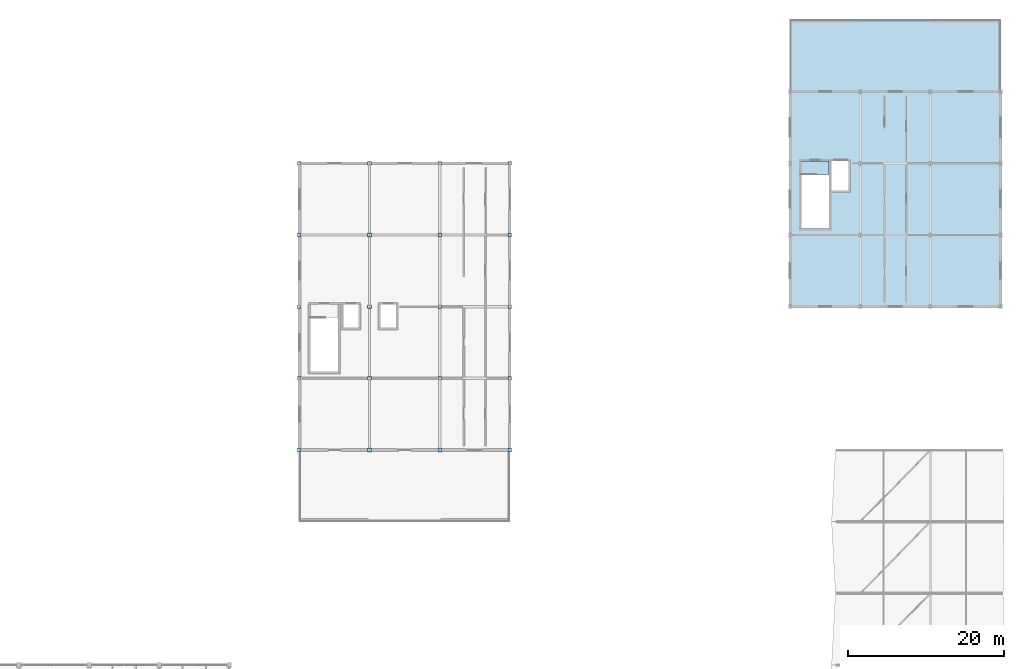
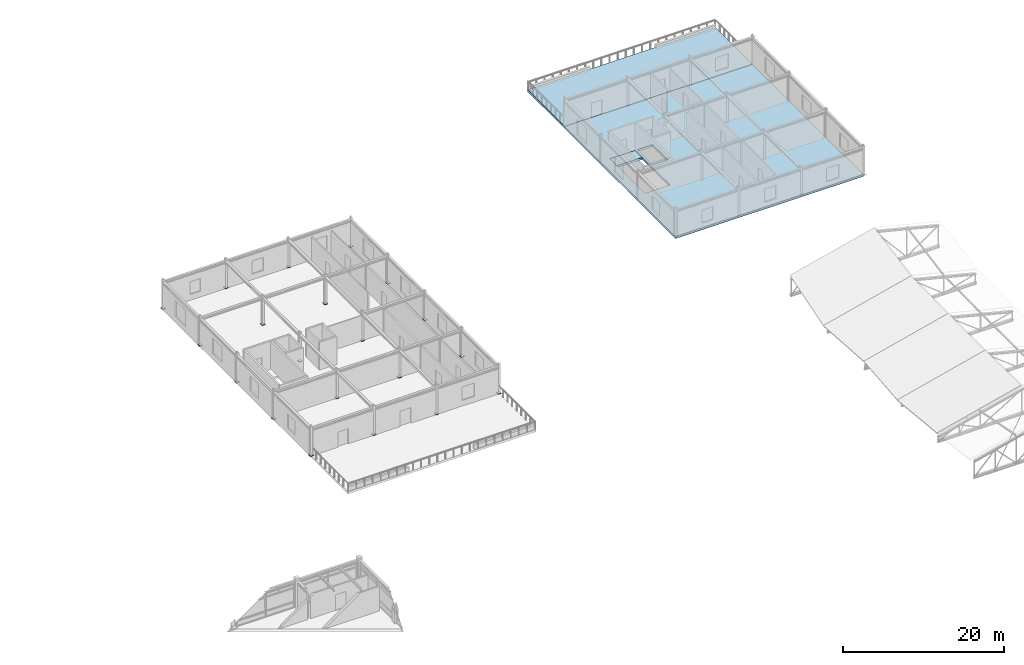
# One storey, part 23 of 33: 20 plates, 3 slabs.
"""IFC4 building model written with IfcOpenShell, lengths in metres."""

from ifc_helpers import new_model, si_unit, direction, frame, origin, origin_2d, place, context, subcontext, project, spatial, polyline, rectangle, outline, extrude, material, layer, layer_set, type_object, element, save


model = new_model("IFC4")

# Units and contexts
model_context = context("Model", 3, precision=1e-05, world=origin(), true_north=direction((0.0, 1.0)))
body_context = subcontext(model_context, "Body", "Model", "MODEL_VIEW")
ifc_project = project(units=[si_unit("LENGTHUNIT", "METRE"), si_unit("AREAUNIT", "SQUARE_METRE"), si_unit("VOLUMEUNIT", "CUBIC_METRE"), si_unit("PLANEANGLEUNIT", "RADIAN"), si_unit("MASSUNIT", "GRAM", prefix="KILO")], contexts=[model_context])

# Site, building, storey
site_placement = place(None, origin())
site = spatial("IfcSite", under=ifc_project, at=site_placement, CompositionType="ELEMENT")
building_placement = place(site_placement, origin())
building = spatial("IfcBuilding", under=site, at=building_placement, Name="Bozkorgan Art Gallery", CompositionType="ELEMENT")
storey_placement = place(building_placement, frame((0.0, 0.0, 19.5)))
storey = spatial("IfcBuildingStorey", under=building, at=storey_placement, Name="L04", CompositionType="ELEMENT", Elevation=19.5)

# Slab
ifc_material_1 = material(Name="Concrete C35/45", Category="concrete")
ifc_layer_1 = layer(ifc_material_1, 0.25, Name="Concrete C35/45")
ifc_layer_set_1 = layer_set([ifc_layer_1], Name="Concrete C35/45")
slab_type_1 = type_object("IfcSlabType", Name="LAND-CORE3", PredefinedType="LANDING", material=ifc_layer_set_1)
slab_1_placement = place(storey_placement, frame((0.0, 0.0, -0.320068359375)))
element("IfcSlab", 1, at=slab_1_placement, inside=storey, type_object=slab_type_1, Name="ST3 L04 floor landing", PredefinedType="LANDING", context=body_context, shape_type="SweptSolid", body=[
    extrude(outline(polyline([(138.39990234375, 82.949951171875), (142.0, 82.949951171875), (142.0, 84.699951171875), (138.39990234375, 84.699951171875), (138.39990234375, 82.949951171875)])), origin(), (0.0, 0.0, 1.0), 0.320068359375),
])

# Plates
ifc_material_2 = material(Name="Steel S355J2", Category="steel")
ifc_layer_2 = layer(ifc_material_2, 0.031982421875, Name="Steel S355J2")
ifc_layer_set_2 = layer_set([ifc_layer_2], Name="Steel S355J2")
plate_type_1 = type_object("IfcPlateType", Name="PLATE-BP-31", PredefinedType="USERDEFINED", material=ifc_layer_set_2)
for number, where, z_axis, x_axis, name in (
    (2, (83.0, 56.800048828125, 0.0), (0.0, 0.0, 1.0), (1.0, 0.0, 0.0), "COL-V4-L04-83-57 base plate"),
    (3, (83.0, 66.0, 0.0), (0.0, 0.0, 1.0), (1.0, 0.0, 0.0), "COL-V4-L04-83-66 base plate"),
    (4, (83.0, 75.199951171875, 0.0), (0.0, 0.0, 1.0), (1.0, 0.0, 0.0), "COL-V4-L04-83-75 base plate"),
    (5, (92.0, 56.800048828125, 0.0), (0.0, 0.0, 1.0), (1.0, 0.0, 0.0), "COL-V4-L04-92-57 base plate"),
    (6, (92.0, 66.0, 0.0), (0.0, 0.0, 1.0), (1.0, 0.0, 0.0), "COL-V4-L04-92-66 base plate"),
    (7, (92.0, 75.199951171875, 0.0), (0.0, 0.0, 1.0), (1.0, 0.0, 0.0), "COL-V4-L04-92-75 base plate"),
):
    element("IfcPlate", number, at=place(storey_placement, frame(where, z_axis=z_axis, x_axis=x_axis)), inside=storey, type_object=plate_type_1, Name=name, ObjectType="END CAP PLATE", PredefinedType="USERDEFINED", context=body_context, shape_type="SweptSolid", body=[
        extrude(rectangle(XDim=0.4599609375, YDim=0.469970703125, at=origin_2d()), origin(), (0.0, 0.0, 1.0), 0.031982421875),
    ])
ifc_layer_3 = layer(ifc_material_2, 0.031982421875, Name="Steel S355J2")
ifc_layer_set_3 = layer_set([ifc_layer_3], Name="Steel S355J2")
plate_type_2 = type_object("IfcPlateType", Name="PLATE-BP-41", PredefinedType="USERDEFINED", material=ifc_layer_set_3)
for number, where, z_axis, x_axis, name in (
    (8, (74.0, 47.60009765625, 0.0), (0.0, 0.0, 1.0), (1.0, 0.0, 0.0), "COL-V4-L04-74-48 base plate"),
    (9, (74.0, 56.800048828125, 0.0), (0.0, 0.0, 1.0), (1.0, 0.0, 0.0), "COL-V4-L04-74-57 base plate"),
    (10, (74.0, 66.0, 0.0), (0.0, 0.0, 1.0), (1.0, 0.0, 0.0), "COL-V4-L04-74-66 base plate"),
    (11, (74.0, 75.199951171875, 0.0), (0.0, 0.0, 1.0), (1.0, 0.0, 0.0), "COL-V4-L04-74-75 base plate"),
    (12, (74.0, 84.39990234375, 0.0), (0.0, 0.0, 1.0), (1.0, 0.0, 0.0), "COL-V4-L04-74-84 base plate"),
    (13, (83.0, 47.60009765625, 0.0), (0.0, 0.0, 1.0), (1.0, 0.0, 0.0), "COL-V4-L04-83-48 base plate"),
    (14, (83.0, 84.39990234375, 0.0), (0.0, 0.0, 1.0), (1.0, 0.0, 0.0), "COL-V4-L04-83-84 base plate"),
    (15, (92.0, 47.60009765625, 0.0), (0.0, 0.0, 1.0), (1.0, 0.0, 0.0), "COL-V4-L04-92-48 base plate"),
    (16, (92.0, 84.39990234375, 0.0), (0.0, 0.0, 1.0), (1.0, 0.0, 0.0), "COL-V4-L04-92-84 base plate"),
    (17, (101.0, 47.60009765625, 0.0), (0.0, 0.0, 1.0), (1.0, 0.0, 0.0), "COL-V4-L04-101-48 base plate"),
    (18, (101.0, 56.800048828125, 0.0), (0.0, 0.0, 1.0), (1.0, 0.0, 0.0), "COL-V4-L04-101-57 base plate"),
    (19, (101.0, 66.0, 0.0), (0.0, 0.0, 1.0), (1.0, 0.0, 0.0), "COL-V4-L04-101-66 base plate"),
    (20, (101.0, 75.199951171875, 0.0), (0.0, 0.0, 1.0), (1.0, 0.0, 0.0), "COL-V4-L04-101-75 base plate"),
    (21, (101.0, 84.39990234375, 0.0), (0.0, 0.0, 1.0), (1.0, 0.0, 0.0), "COL-V4-L04-101-84 base plate"),
):
    element("IfcPlate", number, at=place(storey_placement, frame(where, z_axis=z_axis, x_axis=x_axis)), inside=storey, type_object=plate_type_2, Name=name, ObjectType="END CAP PLATE", PredefinedType="USERDEFINED", context=body_context, shape_type="SweptSolid", body=[
        extrude(rectangle(XDim=0.4599609375, YDim=0.47998046875, at=origin_2d()), origin(), (0.0, 0.0, 1.0), 0.031982421875),
    ])

# Slabs
ifc_layer_4 = layer(ifc_material_1, 0.320068359375, Name="Concrete C35/45")
ifc_layer_set_4 = layer_set([ifc_layer_4], Name="Concrete C35/45")
slab_type_2 = type_object("IfcSlabType", Name="SLAB-SL-59", PredefinedType="FLOOR", material=ifc_layer_set_4)
slab_2_placement = place(storey_placement, frame((0.0, 0.0, -0.320068359375)))
element("IfcSlab", 22, at=slab_2_placement, inside=storey, type_object=slab_type_2, Name="V5 L04 floor slab 1.1", PredefinedType="FLOOR", context=body_context, shape_type="SweptSolid", body=[
    extrude(outline(polyline([(137.0, 66.0), (164.0, 66.0), (164.0, 93.60009765625), (137.0, 93.60009765625), (137.0, 66.0)]), holes=[polyline([(138.39990234375, 76.050048828125), (142.0, 76.050048828125), (142.0, 84.699951171875), (138.39990234375, 84.699951171875), (138.39990234375, 76.050048828125)]), polyline([(142.300048828125, 80.89990234375), (144.5, 80.89990234375), (144.5, 84.699951171875), (142.300048828125, 84.699951171875), (142.300048828125, 80.89990234375)])]), origin(), (0.0, 0.0, 1.0), 0.320068359375),
])
ifc_layer_5 = layer(ifc_material_1, 0.320068359375, Name="Concrete C35/45")
ifc_layer_set_5 = layer_set([ifc_layer_5], Name="Concrete C35/45")
slab_type_3 = type_object("IfcSlabType", Name="SLAB-TR-56", PredefinedType="FLOOR", material=ifc_layer_set_5)
slab_3_placement = place(storey_placement, frame((0.0, 0.0, -0.320068359375)))
element("IfcSlab", 23, at=slab_3_placement, inside=storey, type_object=slab_type_3, Name="L04 North Sculpture Terrace", PredefinedType="FLOOR", context=body_context, shape_type="SweptSolid", body=[
    extrude(outline(polyline([(137.0, 93.60009765625), (164.0, 93.60009765625), (164.0, 102.800048828125), (137.0, 102.800048828125), (137.0, 93.60009765625)])), origin(), (0.0, 0.0, 1.0), 0.320068359375),
])

save(model, "model.ifc")
